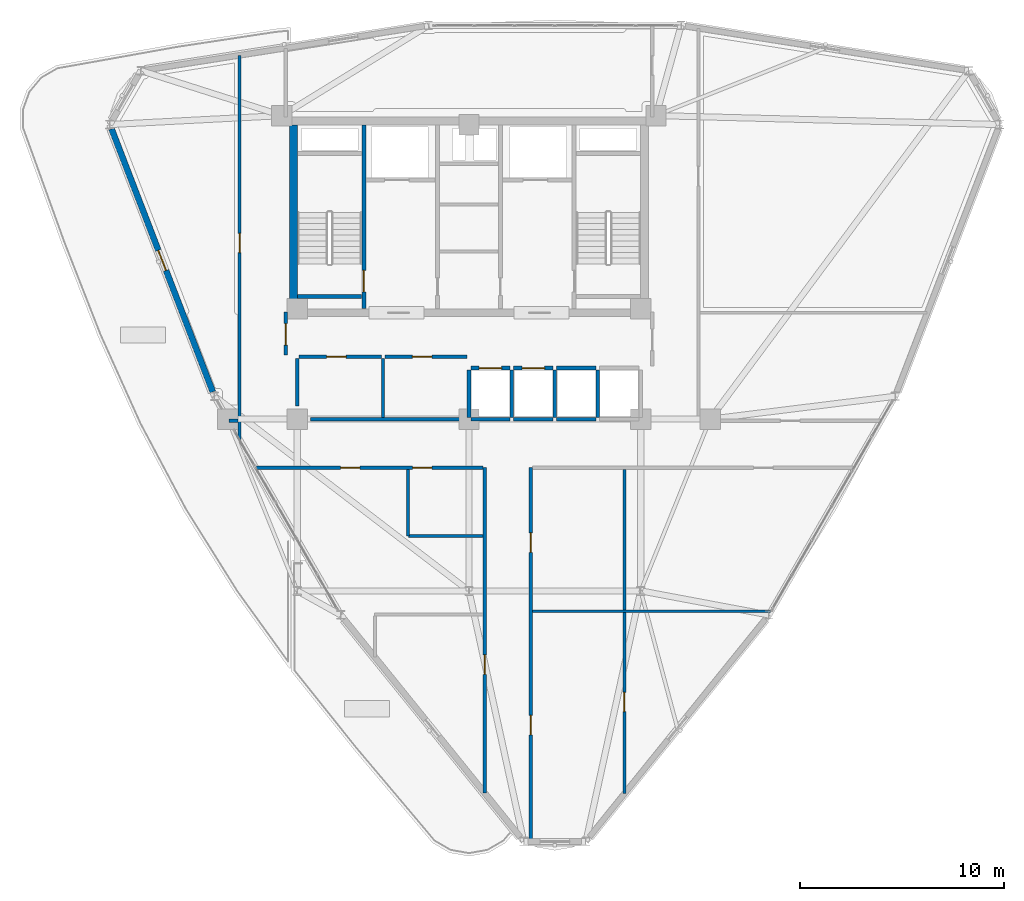
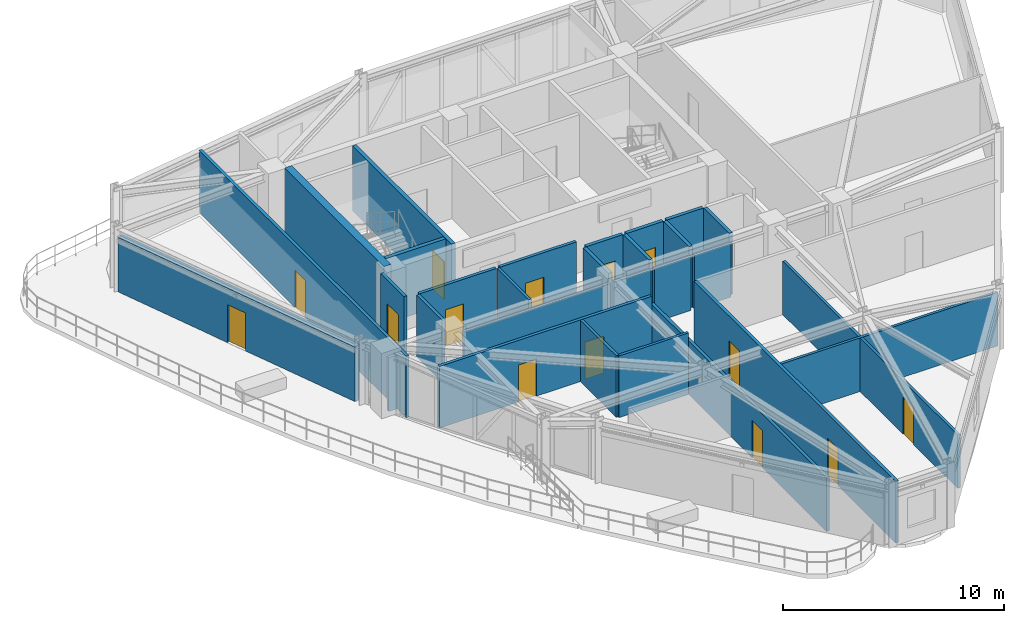
# One storey, part 14 of 19: 29 walls, 14 doors, 14 openings.
"""IFC4 building model written with IfcOpenShell, lengths in metres."""

from ifc_helpers import new_model, si_unit, derived_unit, direction, frame, frame_2d, origin, place, context, subcontext, project, spatial, rectangle, extrude, material, layer, layer_set, type_object, element, fill, save


model = new_model("IFC4")

# Units and contexts
model_context = context("Model", 3, precision=1e-05, world=origin(), true_north=direction((0.0, 1.0)))
body_context = subcontext(model_context, "Body", "Model", "MODEL_VIEW")
ifc_project = project(units=[si_unit("LENGTHUNIT", "METRE"), si_unit("AREAUNIT", "SQUARE_METRE"), si_unit("VOLUMEUNIT", "CUBIC_METRE"), si_unit("PLANEANGLEUNIT", "RADIAN"), si_unit("MASSUNIT", "GRAM", prefix="KILO"), derived_unit("THERMALTRANSMITTANCEUNIT", [(si_unit("POWERUNIT", "WATT"), 1), (si_unit("LENGTHUNIT", "METRE"), -2), (si_unit("THERMODYNAMICTEMPERATUREUNIT", "KELVIN"), -1)])], contexts=[model_context])

# Site, building, storey
site_placement = place(None, origin())
site = spatial("IfcSite", under=ifc_project, at=site_placement, CompositionType="ELEMENT")
building_placement = place(site_placement, origin())
building = spatial("IfcBuilding", under=site, at=building_placement, Name="Korsvarv Bourse and Concert Hall", CompositionType="ELEMENT")
storey_placement = place(building_placement, frame((0.0, 0.0, 205.800048828125)))
storey = spatial("IfcBuildingStorey", under=building, at=storey_placement, Name="L53", CompositionType="ELEMENT", Elevation=205.800048828125)

# Wall
ifc_material_1 = material(Name="Concrete C50/60", Category="concrete")
ifc_layer_1 = layer(ifc_material_1, 0.3798828125)
ifc_layer_set_1 = layer_set([ifc_layer_1], Name="Concrete C50/60")
wall_type_1 = type_object("IfcWallType", Name="WL-CORE-380", PredefinedType="SHEAR", material=ifc_layer_set_1)
wall_1_placement = place(storey_placement, frame((27.409912109375, 37.800048828125, 0.0), z_axis=(0.0, 0.0, 1.0), x_axis=(0.0, 1.0, 0.0)))
element("IfcWall", 1, at=wall_1_placement, inside=storey, type_object=wall_type_1, Name="L53 West Core Shear Wall", PredefinedType="SHEAR", context=body_context, shape_type="SweptSolid", body=[
    extrude(rectangle(XDim=9.0, YDim=0.3798828125, at=frame_2d((4.5, 0.0))), origin(), (0.0, 0.0, 1.0), 3.599853515625),
])

# Wall, opening, door
wall_2_placement = place(storey_placement, frame((30.860107421875, 37.81005859375, 0.0), z_axis=(0.0, 0.0, 1.0), x_axis=(0.0, 1.0, 0.0)))
wall_2 = element("IfcWall", 2, at=wall_2_placement, inside=storey, type_object=wall_type_1, Name="L53 stair shaft structural wall W-L53-ST1-E", PredefinedType="SHEAR", context=body_context, shape_type="SweptSolid", body=[
    extrude(rectangle(XDim=8.97998046875, YDim=0.199951171875, at=frame_2d((4.489990234375, 0.0))), origin(), (0.0, 0.0, 1.0), 3.599853515625),
])
opening_1_placement = place(wall_2_placement, frame((0.820068359375, 0.0, 0.0)))
opening_1 = element("IfcOpeningElement", 3, at=opening_1_placement, cuts=wall_2, Name="Opening D-01", PredefinedType="OPENING", context=body_context, shape_type="SweptSolid", body=[
    extrude(rectangle(XDim=1.050048828125, YDim=2.10009765625, at=frame_2d((0.52490234375, 1.050048828125))), frame((0.0, 0.10986328125, 0.0), z_axis=(0.0, -1.0, 0.0), x_axis=(1.0, 0.0, 0.0)), (0.0, 0.0, 1.0), 0.219970703125),
])
ifc_material_2 = material(Name="Steel S355 fire door", Category="steel")
door_type_1 = type_object("IfcDoorType", Name="DR-FD60", OperationType="NOTDEFINED", PredefinedType="DOOR", material=ifc_material_2)
door_1_placement = place(opening_1_placement, origin())
door_1 = element("IfcDoor", 4, at=door_1_placement, inside=storey, type_object=door_type_1, Name="L53 interior door DR-L53-ST1", OperationType="SINGLE_SWING_RIGHT", OverallHeight=2.10009765625, OverallWidth=1.050048828125, PredefinedType="DOOR", context=body_context, shape_type="SweptSolid", body=[
    extrude(rectangle(XDim=1.050048828125, YDim=2.10009765625, at=frame_2d((0.52490234375, 1.050048828125))), frame((0.0, 0.02490234375, 0.0), z_axis=(0.0, -1.0, 0.0), x_axis=(1.0, 0.0, 0.0)), (0.0, 0.0, 1.0), 0.050048828125),
])
fill(opening_1, door_1)

# Wall
wall_3_placement = place(storey_placement, frame((27.610107421875, 38.39990234375, 0.0), z_axis=(0.0, 0.0, 1.0), x_axis=(1.0, 0.0, 0.0)))
element("IfcWall", 5, at=wall_3_placement, inside=storey, type_object=wall_type_1, Name="L53 stair shaft structural wall W-L53-ST1-S", PredefinedType="SHEAR", context=body_context, shape_type="SweptSolid", body=[
    extrude(rectangle(XDim=3.139892578125, YDim=0.199951171875, at=frame_2d((1.56982421875, 0.0))), origin(), (0.0, 0.0, 1.0), 3.599853515625),
])

# Wall, opening, door
ifc_material_3 = material(Name="Precast concrete C45/55 with terracotta rainscreen", Category="concrete")
ifc_layer_2 = layer(ifc_material_3, 0.300048828125)
ifc_layer_set_2 = layer_set([ifc_layer_2], Name="Precast concrete C45/55 with terracotta rainscreen")
wall_type_2 = type_object("IfcWallType", Name="WL-EXT-TC1", PredefinedType="SOLIDWALL", material=ifc_layer_set_2)
wall_4_placement = place(storey_placement, frame((18.511962890625, 46.598388671875, 0.0), z_axis=(0.0, 0.0, 1.0), x_axis=(0.359321962573, -0.933213655715, 0.0)))
wall_4 = element("IfcWall", 6, at=wall_4_placement, inside=storey, type_object=wall_type_2, Name="L53 terracotta exterior wall EW-L53-B06", PredefinedType="SOLIDWALL", context=body_context, shape_type="SweptSolid", body=[
    extrude(rectangle(XDim=13.7880859375, YDim=0.300048828125, at=frame_2d((6.89404296875, 0.0))), origin(), (0.0, 0.0, 1.0), 3.02001953125),
])
opening_2_placement = place(wall_4_placement, frame((6.368896484375, 0.0, 0.0)))
opening_2 = element("IfcOpeningElement", 7, at=opening_2_placement, cuts=wall_4, Name="Opening ED-02", PredefinedType="OPENING", context=body_context, shape_type="SweptSolid", body=[
    extrude(rectangle(XDim=1.050048828125, YDim=2.10009765625, at=frame_2d((0.52490234375, 1.050048828125))), frame((0.0, 0.16015625, 0.0), z_axis=(0.0, -1.0, 0.0), x_axis=(1.0, 0.0, 0.0)), (0.0, 0.0, 1.0), 0.320068359375),
])
ifc_material_4 = material(Name="Thermally broken anodised aluminium and laminated safety glass", Category="aluminium")
door_type_2 = type_object("IfcDoorType", Name="DR-EXT-TERR", OperationType="NOTDEFINED", PredefinedType="DOOR", material=ifc_material_4)
door_2_placement = place(opening_2_placement, frame((1.050048828125, 0.0, 0.0), z_axis=(0.0, 0.0, 1.0), x_axis=(-1.0, 0.0, 0.0)))
door_2 = element("IfcDoor", 8, at=door_2_placement, inside=storey, type_object=door_type_2, Name="L53 Sky Garden Terrace Access Door", OperationType="SINGLE_SWING_RIGHT", OverallHeight=2.10009765625, OverallWidth=1.050048828125, PredefinedType="DOOR", context=body_context, shape_type="SweptSolid", body=[
    extrude(rectangle(XDim=1.050048828125, YDim=2.10009765625, at=frame_2d((0.52490234375, 1.050048828125))), frame((0.0, 0.02490234375, 0.0), z_axis=(0.0, -1.0, 0.0), x_axis=(1.0, 0.0, 0.0)), (0.0, 0.0, 1.0), 0.050048828125),
])
fill(opening_2, door_2)

# Walls
ifc_material_5 = material(Name="Double-stud fire-rated acoustic partition", Category="gypsum")
ifc_layer_3 = layer(ifc_material_5, 0.159912109375)
ifc_layer_set_3 = layer_set([ifc_layer_3], Name="Double-stud fire-rated acoustic partition")
wall_type_3 = type_object("IfcWallType", Name="WL-INT-EI60", PredefinedType="PARTITIONING", material=ifc_layer_set_3)
wall_5_placement = place(storey_placement, frame((28.25, 32.39990234375, 0.0), z_axis=(0.0, 0.0, 1.0), x_axis=(1.0, 0.0, 0.0)))
element("IfcWall", 9, at=wall_5_placement, inside=storey, type_object=wall_type_3, Name="L53 interior partition wall W-L53-FRD-S", PredefinedType="PARTITIONING", context=body_context, shape_type="SweptSolid", body=[
    extrude(rectangle(XDim=7.64990234375, YDim=0.159912109375, at=frame_2d((3.824951171875, 0.0))), origin(), (0.0, 0.0, 1.0), 2.9599609375),
])
wall_6_placement = place(storey_placement, frame((27.60009765625, 33.050048828125, 0.0), z_axis=(0.0, 0.0, 1.0), x_axis=(0.0, 1.0, 0.0)))
element("IfcWall", 10, at=wall_6_placement, inside=storey, type_object=wall_type_3, Name="L53 interior partition wall W-L53-FRD-W", PredefinedType="PARTITIONING", context=body_context, shape_type="SweptSolid", body=[
    extrude(rectangle(XDim=2.31005859375, YDim=0.159912109375, at=frame_2d((1.155029296875, 0.0))), origin(), (0.0, 0.0, 1.0), 3.409912109375),
])

# Wall, opening, door
wall_7_placement = place(storey_placement, frame((27.68994140625, 35.449951171875, 0.0), z_axis=(0.0, 0.0, 1.0), x_axis=(1.0, 0.0, 0.0)))
wall_7 = element("IfcWall", 11, at=wall_7_placement, inside=storey, type_object=wall_type_3, Name="L53 interior partition wall W-L53-FRD-N1", PredefinedType="PARTITIONING", context=body_context, shape_type="SweptSolid", body=[
    extrude(rectangle(XDim=4.030029296875, YDim=0.159912109375, at=frame_2d((2.01513671875, 0.0))), origin(), (0.0, 0.0, 1.0), 3.409912109375),
])
opening_3_placement = place(wall_7_placement, frame((1.35009765625, 0.0, 0.0)))
opening_3 = element("IfcOpeningElement", 12, at=opening_3_placement, cuts=wall_7, Name="Opening D-03", PredefinedType="OPENING", context=body_context, shape_type="SweptSolid", body=[
    extrude(rectangle(XDim=0.949951171875, YDim=2.050048828125, at=frame_2d((0.47509765625, 1.02490234375))), frame((0.0, 0.08984375, 0.0), z_axis=(0.0, -1.0, 0.0), x_axis=(1.0, 0.0, 0.0)), (0.0, 0.0, 1.0), 0.179931640625),
])
ifc_material_6 = material(Name="Nordic oak acoustic office door", Category="wood")
door_type_3 = type_object("IfcDoorType", Name="DR-INT-1", OperationType="NOTDEFINED", PredefinedType="DOOR", material=ifc_material_6)
door_3_placement = place(opening_3_placement, origin())
door_3 = element("IfcDoor", 13, at=door_3_placement, inside=storey, type_object=door_type_3, Name="L53 interior door DR-L53-FRDN1", OperationType="SINGLE_SWING_RIGHT", OverallHeight=2.050048828125, OverallWidth=0.949951171875, PredefinedType="DOOR", context=body_context, shape_type="SweptSolid", body=[
    extrude(rectangle(XDim=0.949951171875, YDim=2.050048828125, at=frame_2d((0.47509765625, 1.02490234375))), frame((0.0, 0.02490234375, 0.0), z_axis=(0.0, -1.0, 0.0), x_axis=(1.0, 0.0, 0.0)), (0.0, 0.0, 1.0), 0.050048828125),
])
fill(opening_3, door_3)

wall_8_placement = place(storey_placement, frame((31.8798828125, 35.449951171875, 0.0), z_axis=(0.0, 0.0, 1.0), x_axis=(1.0, 0.0, 0.0)))
wall_8 = element("IfcWall", 14, at=wall_8_placement, inside=storey, type_object=wall_type_3, Name="L53 interior partition wall W-L53-FRD-N2", PredefinedType="PARTITIONING", context=body_context, shape_type="SweptSolid", body=[
    extrude(rectangle(XDim=4.02001953125, YDim=0.159912109375, at=frame_2d((2.010009765625, 0.0))), origin(), (0.0, 0.0, 1.0), 3.409912109375),
])
opening_4_placement = place(wall_8_placement, frame((1.35009765625, 0.0, 0.0)))
opening_4 = element("IfcOpeningElement", 15, at=opening_4_placement, cuts=wall_8, Name="Opening D-03", PredefinedType="OPENING", context=body_context, shape_type="SweptSolid", body=[
    extrude(rectangle(XDim=0.949951171875, YDim=2.050048828125, at=frame_2d((0.47509765625, 1.02490234375))), frame((0.0, 0.08984375, 0.0), z_axis=(0.0, -1.0, 0.0), x_axis=(1.0, 0.0, 0.0)), (0.0, 0.0, 1.0), 0.179931640625),
])
door_4_placement = place(opening_4_placement, origin())
door_4 = element("IfcDoor", 16, at=door_4_placement, inside=storey, type_object=door_type_3, Name="L53 interior door DR-L53-FRDN2", OperationType="SINGLE_SWING_LEFT", OverallHeight=2.050048828125, OverallWidth=0.949951171875, PredefinedType="DOOR", context=body_context, shape_type="SweptSolid", body=[
    extrude(rectangle(XDim=0.949951171875, YDim=2.050048828125, at=frame_2d((0.47509765625, 1.02490234375))), frame((0.0, 0.02490234375, 0.0), z_axis=(0.0, -1.0, 0.0), x_axis=(1.0, 0.0, 0.0)), (0.0, 0.0, 1.0), 0.050048828125),
])
fill(opening_4, door_4)

wall_9_placement = place(storey_placement, frame((27.0400390625, 35.5400390625, 0.0), z_axis=(0.0, 0.0, 1.0), x_axis=(0.0, 1.0, 0.0)))
wall_9 = element("IfcWall", 17, at=wall_9_placement, inside=storey, type_object=wall_type_3, Name="L53 interior partition wall W-L53-LOB-WL", PredefinedType="PARTITIONING", context=body_context, shape_type="SweptSolid", body=[
    extrude(rectangle(XDim=2.10986328125, YDim=0.159912109375, at=frame_2d((1.054931640625, 0.0))), origin(), (0.0, 0.0, 1.0), 3.409912109375),
])
opening_5_placement = place(wall_9_placement, frame((0.47998046875, 0.0, 0.0)))
opening_5 = element("IfcOpeningElement", 18, at=opening_5_placement, cuts=wall_9, Name="Opening D-01", PredefinedType="OPENING", context=body_context, shape_type="SweptSolid", body=[
    extrude(rectangle(XDim=1.050048828125, YDim=2.10009765625, at=frame_2d((0.52490234375, 1.050048828125))), frame((0.0, 0.08984375, 0.0), z_axis=(0.0, -1.0, 0.0), x_axis=(1.0, 0.0, 0.0)), (0.0, 0.0, 1.0), 0.179931640625),
])
door_5_placement = place(opening_5_placement, frame((1.050048828125, 0.0, 0.0), z_axis=(0.0, 0.0, 1.0), x_axis=(-1.0, 0.0, 0.0)))
door_5 = element("IfcDoor", 19, at=door_5_placement, inside=storey, type_object=door_type_1, Name="L53 interior door DR-L53-LOBW", OperationType="SINGLE_SWING_RIGHT", OverallHeight=2.10009765625, OverallWidth=1.050048828125, PredefinedType="DOOR", context=body_context, shape_type="SweptSolid", body=[
    extrude(rectangle(XDim=1.050048828125, YDim=2.10009765625, at=frame_2d((0.52490234375, 1.050048828125))), frame((0.0, 0.02490234375, 0.0), z_axis=(0.0, -1.0, 0.0), x_axis=(1.0, 0.0, 0.0)), (0.0, 0.0, 1.0), 0.050048828125),
])
fill(opening_5, door_5)

wall_10_placement = place(storey_placement, frame((24.77490234375, 31.413330078125, 0.0), z_axis=(0.0, 0.0, 1.0), x_axis=(0.0, 1.0, 0.0)))
wall_10 = element("IfcWall", 20, at=wall_10_placement, inside=storey, type_object=wall_type_3, Name="L53 interior partition wall W-L53-TCOR-02", PredefinedType="PARTITIONING", context=body_context, shape_type="SweptSolid", body=[
    extrude(rectangle(XDim=18.773193359375, YDim=0.159912109375, at=frame_2d((9.38671875, 0.0))), origin(), (0.0, 0.0, 1.0), 3.409912109375),
])
opening_6_placement = place(wall_10_placement, frame((9.12744140625, 0.0, 0.0)))
opening_6 = element("IfcOpeningElement", 21, at=opening_6_placement, cuts=wall_10, Name="Opening D-02", PredefinedType="OPENING", context=body_context, shape_type="SweptSolid", body=[
    extrude(rectangle(XDim=0.949951171875, YDim=2.050048828125, at=frame_2d((0.47509765625, 1.02490234375))), frame((0.0, 0.08984375, 0.0), z_axis=(0.0, -1.0, 0.0), x_axis=(1.0, 0.0, 0.0)), (0.0, 0.0, 1.0), 0.179931640625),
])
ifc_material_7 = material(Name="Timber and steel acoustic fire door", Category="wood")
door_type_4 = type_object("IfcDoorType", Name="DR-FD30", OperationType="NOTDEFINED", PredefinedType="DOOR", material=ifc_material_7)
door_6_placement = place(opening_6_placement, origin())
door_6 = element("IfcDoor", 22, at=door_6_placement, inside=storey, type_object=door_type_4, Name="L53 interior door DR-L53-TCOR-PN710", OperationType="SINGLE_SWING_LEFT", OverallHeight=2.050048828125, OverallWidth=0.949951171875, PredefinedType="DOOR", context=body_context, shape_type="SweptSolid", body=[
    extrude(rectangle(XDim=0.949951171875, YDim=2.050048828125, at=frame_2d((0.47509765625, 1.02490234375))), frame((0.0, 0.02490234375, 0.0), z_axis=(0.0, -1.0, 0.0), x_axis=(1.0, 0.0, 0.0)), (0.0, 0.0, 1.0), 0.050048828125),
])
fill(opening_6, door_6)

# Wall, openings, doors
wall_11_placement = place(storey_placement, frame((39.02490234375, 11.7607421875, 0.0), z_axis=(0.0, 0.0, 1.0), x_axis=(0.0, 1.0, 0.0)))
wall_11 = element("IfcWall", 23, at=wall_11_placement, inside=storey, type_object=wall_type_3, Name="L53 interior partition wall W-L53-TCOR-03", PredefinedType="PARTITIONING", context=body_context, shape_type="SweptSolid", body=[
    extrude(rectangle(XDim=18.269287109375, YDim=0.159912109375, at=frame_2d((9.134765625, 0.0))), origin(), (0.0, 0.0, 1.0), 3.409912109375),
])
opening_7_placement = place(wall_11_placement, frame((5.19970703125, 0.0, 0.0)))
opening_7 = element("IfcOpeningElement", 24, at=opening_7_placement, cuts=wall_11, Name="Opening D-02", PredefinedType="OPENING", context=body_context, shape_type="SweptSolid", body=[
    extrude(rectangle(XDim=0.949951171875, YDim=2.050048828125, at=frame_2d((0.47509765625, 1.02490234375))), frame((0.0, 0.08984375, 0.0), z_axis=(0.0, -1.0, 0.0), x_axis=(1.0, 0.0, 0.0)), (0.0, 0.0, 1.0), 0.179931640625),
])
opening_8_placement = place(wall_11_placement, frame((14.121337890625, 0.0, 0.0)))
opening_8 = element("IfcOpeningElement", 25, at=opening_8_placement, cuts=wall_11, Name="Opening D-02", PredefinedType="OPENING", context=body_context, shape_type="SweptSolid", body=[
    extrude(rectangle(XDim=0.949951171875, YDim=2.050048828125, at=frame_2d((0.47509765625, 1.02490234375))), frame((0.0, 0.08984375, 0.0), z_axis=(0.0, -1.0, 0.0), x_axis=(1.0, 0.0, 0.0)), (0.0, 0.0, 1.0), 0.179931640625),
])
door_7_placement = place(opening_7_placement, origin())
door_7 = element("IfcDoor", 26, at=door_7_placement, inside=storey, type_object=door_type_4, Name="L53 interior door DR-L53-TCOR-PN53", OperationType="SINGLE_SWING_RIGHT", OverallHeight=2.050048828125, OverallWidth=0.949951171875, PredefinedType="DOOR", context=body_context, shape_type="SweptSolid", body=[
    extrude(rectangle(XDim=0.949951171875, YDim=2.050048828125, at=frame_2d((0.47509765625, 1.02490234375))), frame((0.0, 0.02490234375, 0.0), z_axis=(0.0, -1.0, 0.0), x_axis=(1.0, 0.0, 0.0)), (0.0, 0.0, 1.0), 0.050048828125),
])
fill(opening_7, door_7)
door_8_placement = place(opening_8_placement, origin())
door_8 = element("IfcDoor", 27, at=door_8_placement, inside=storey, type_object=door_type_4, Name="L53 interior door DR-L53-TCOR-PN24", OperationType="SINGLE_SWING_LEFT", OverallHeight=2.050048828125, OverallWidth=0.949951171875, PredefinedType="DOOR", context=body_context, shape_type="SweptSolid", body=[
    extrude(rectangle(XDim=0.949951171875, YDim=2.050048828125, at=frame_2d((0.47509765625, 1.02490234375))), frame((0.0, 0.02490234375, 0.0), z_axis=(0.0, -1.0, 0.0), x_axis=(1.0, 0.0, 0.0)), (0.0, 0.0, 1.0), 0.050048828125),
])
fill(opening_8, door_8)

# Wall, opening, door
wall_12_placement = place(storey_placement, frame((36.77490234375, 14.115478515625, 0.0), z_axis=(0.0, 0.0, 1.0), x_axis=(0.0, 1.0, 0.0)))
wall_12 = element("IfcWall", 28, at=wall_12_placement, inside=storey, type_object=wall_type_3, Name="L53 interior partition wall W-L53-TCOR-04", PredefinedType="PARTITIONING", context=body_context, shape_type="SweptSolid", body=[
    extrude(rectangle(XDim=15.91455078125, YDim=0.159912109375, at=frame_2d((7.957275390625, 0.0))), origin(), (0.0, 0.0, 1.0), 2.9599609375),
])
opening_9_placement = place(wall_12_placement, frame((5.803466796875, 0.0, 0.0)))
opening_9 = element("IfcOpeningElement", 29, at=opening_9_placement, cuts=wall_12, Name="Opening D-02", PredefinedType="OPENING", context=body_context, shape_type="SweptSolid", body=[
    extrude(rectangle(XDim=0.949951171875, YDim=2.050048828125, at=frame_2d((0.47509765625, 1.02490234375))), frame((0.0, 0.08984375, 0.0), z_axis=(0.0, -1.0, 0.0), x_axis=(1.0, 0.0, 0.0)), (0.0, 0.0, 1.0), 0.179931640625),
])
door_9_placement = place(opening_9_placement, origin())
door_9 = element("IfcDoor", 30, at=door_9_placement, inside=storey, type_object=door_type_4, Name="L53 interior door DR-L53-TCOR-PN49", OperationType="SINGLE_SWING_RIGHT", OverallHeight=2.050048828125, OverallWidth=0.949951171875, PredefinedType="DOOR", context=body_context, shape_type="SweptSolid", body=[
    extrude(rectangle(XDim=0.949951171875, YDim=2.050048828125, at=frame_2d((0.47509765625, 1.02490234375))), frame((0.0, 0.02490234375, 0.0), z_axis=(0.0, -1.0, 0.0), x_axis=(1.0, 0.0, 0.0)), (0.0, 0.0, 1.0), 0.050048828125),
])
fill(opening_9, door_9)

# Wall, openings, doors
wall_13_placement = place(storey_placement, frame((25.585205078125, 30.02490234375, 0.0), z_axis=(0.0, 0.0, 1.0), x_axis=(1.0, 0.0, 0.0)))
wall_13 = element("IfcWall", 31, at=wall_13_placement, inside=storey, type_object=wall_type_3, Name="L53 interior partition wall W-L53-TCOR-06", PredefinedType="PARTITIONING", context=body_context, shape_type="SweptSolid", body=[
    extrude(rectangle(XDim=11.10791015625, YDim=0.159912109375, at=frame_2d((5.553955078125, 0.0))), origin(), (0.0, 0.0, 1.0), 3.409912109375),
])
opening_10_placement = place(wall_13_placement, frame((7.65478515625, 0.0, 0.0)))
opening_10 = element("IfcOpeningElement", 32, at=opening_10_placement, cuts=wall_13, Name="Opening D-02", PredefinedType="OPENING", context=body_context, shape_type="SweptSolid", body=[
    extrude(rectangle(XDim=0.949951171875, YDim=2.050048828125, at=frame_2d((0.47509765625, 1.02490234375))), frame((0.0, 0.08984375, 0.0), z_axis=(0.0, -1.0, 0.0), x_axis=(1.0, 0.0, 0.0)), (0.0, 0.0, 1.0), 0.179931640625),
])
opening_11_placement = place(wall_13_placement, frame((4.13232421875, 0.0, 0.0)))
opening_11 = element("IfcOpeningElement", 33, at=opening_11_placement, cuts=wall_13, Name="Opening D-02", PredefinedType="OPENING", context=body_context, shape_type="SweptSolid", body=[
    extrude(rectangle(XDim=0.949951171875, YDim=2.050048828125, at=frame_2d((0.47509765625, 1.02490234375))), frame((0.0, 0.08984375, 0.0), z_axis=(0.0, -1.0, 0.0), x_axis=(1.0, 0.0, 0.0)), (0.0, 0.0, 1.0), 0.179931640625),
])
door_10_placement = place(opening_10_placement, origin())
door_10 = element("IfcDoor", 34, at=door_10_placement, inside=storey, type_object=door_type_4, Name="L53 interior door DR-L53-TCOR-RWC", OperationType="SINGLE_SWING_RIGHT", OverallHeight=2.050048828125, OverallWidth=0.949951171875, PredefinedType="DOOR", context=body_context, shape_type="SweptSolid", body=[
    extrude(rectangle(XDim=0.949951171875, YDim=2.050048828125, at=frame_2d((0.47509765625, 1.02490234375))), frame((0.0, 0.02490234375, 0.0), z_axis=(0.0, -1.0, 0.0), x_axis=(1.0, 0.0, 0.0)), (0.0, 0.0, 1.0), 0.050048828125),
])
fill(opening_10, door_10)
door_11_placement = place(opening_11_placement, origin())
door_11 = element("IfcDoor", 35, at=door_11_placement, inside=storey, type_object=door_type_4, Name="L53 interior door DR-L53-TCOR-PN18", OperationType="SINGLE_SWING_LEFT", OverallHeight=2.050048828125, OverallWidth=0.949951171875, PredefinedType="DOOR", context=body_context, shape_type="SweptSolid", body=[
    extrude(rectangle(XDim=0.949951171875, YDim=2.050048828125, at=frame_2d((0.47509765625, 1.02490234375))), frame((0.0, 0.02490234375, 0.0), z_axis=(0.0, -1.0, 0.0), x_axis=(1.0, 0.0, 0.0)), (0.0, 0.0, 1.0), 0.050048828125),
])
fill(opening_11, door_11)

# Wall
wall_14_placement = place(storey_placement, frame((24.262939453125, 32.31494140625, 0.0), z_axis=(0.0, 0.0, 1.0), x_axis=(1.0, 0.0, 0.0)))
element("IfcWall", 36, at=wall_14_placement, inside=storey, type_object=wall_type_3, Name="L53 interior partition wall W-L53-TCOR-10", PredefinedType="PARTITIONING", context=body_context, shape_type="SweptSolid", body=[
    extrude(rectangle(XDim=0.43017578125, YDim=0.159912109375, at=frame_2d((0.215087890625, 0.0))), origin(), (0.0, 0.0, 1.0), 2.9599609375),
])

# Wall, opening, door
ifc_material_8 = material(Name="Gypsum-clad autoclaved concrete shaft wall C30/37", Category="concrete")
ifc_layer_4 = layer(ifc_material_8, 0.179931640625)
ifc_layer_set_4 = layer_set([ifc_layer_4], Name="Gypsum-clad autoclaved concrete shaft wall C30/37")
wall_type_4 = type_object("IfcWallType", Name="WL-INT-EI90", PredefinedType="PARTITIONING", material=ifc_layer_set_4)
wall_15_placement = place(storey_placement, frame((36.090087890625, 34.89990234375, 0.0), z_axis=(0.0, 0.0, 1.0), x_axis=(1.0, 0.0, 0.0)))
wall_15 = element("IfcWall", 37, at=wall_15_placement, inside=storey, type_object=wall_type_4, Name="L53 interior partition wall W-L53-SHFN-PH1", PredefinedType="PARTITIONING", context=body_context, shape_type="SweptSolid", body=[
    extrude(rectangle(XDim=1.919921875, YDim=0.179931640625, at=frame_2d((0.9599609375, 0.0))), origin(), (0.0, 0.0, 1.0), 3.409912109375),
])
opening_12_placement = place(wall_15_placement, frame((0.409912109375, 0.0, 0.0)))
opening_12 = element("IfcOpeningElement", 38, at=opening_12_placement, cuts=wall_15, Name="Opening LD-2", PredefinedType="OPENING", context=body_context, shape_type="SweptSolid", body=[
    extrude(rectangle(XDim=1.10009765625, YDim=2.10009765625, at=frame_2d((0.550048828125, 1.050048828125))), frame((0.0, 0.10009765625, 0.0), z_axis=(0.0, -1.0, 0.0), x_axis=(1.0, 0.0, 0.0)), (0.0, 0.0, 1.0), 0.199951171875),
])
ifc_material_9 = material(Name="Brushed stainless Steel S355 lift landing door", Category="steel")
door_type_5 = type_object("IfcDoorType", Name="DR-LIFT-P", OperationType="DOUBLE_DOOR_SLIDING", PredefinedType="DOOR", material=ifc_material_9)
door_12_placement = place(opening_12_placement, origin())
door_12 = element("IfcDoor", 39, at=door_12_placement, inside=storey, type_object=door_type_5, Name="L53 lift sliding landing door LD-L53-PH1", OperationType="DOUBLE_DOOR_SLIDING", OverallHeight=2.10009765625, OverallWidth=1.10009765625, PredefinedType="DOOR", context=body_context, shape_type="SweptSolid", body=[
    extrude(rectangle(XDim=1.10009765625, YDim=2.10009765625, at=frame_2d((0.550048828125, 1.050048828125))), frame((0.0, 0.02490234375, 0.0), z_axis=(0.0, -1.0, 0.0), x_axis=(1.0, 0.0, 0.0)), (0.0, 0.0, 1.0), 0.050048828125),
])
fill(opening_12, door_12)

# Walls
wall_16_placement = place(storey_placement, frame((36.090087890625, 32.39990234375, 0.0), z_axis=(0.0, 0.0, 1.0), x_axis=(1.0, 0.0, 0.0)))
element("IfcWall", 40, at=wall_16_placement, inside=storey, type_object=wall_type_4, Name="L53 interior partition wall W-L53-SHFS-PH1", PredefinedType="PARTITIONING", context=body_context, shape_type="SweptSolid", body=[
    extrude(rectangle(XDim=1.919921875, YDim=0.179931640625, at=frame_2d((0.9599609375, 0.0))), origin(), (0.0, 0.0, 1.0), 2.9599609375),
])
wall_17_placement = place(storey_placement, frame((36.0, 32.489990234375, 0.0), z_axis=(0.0, 0.0, 1.0), x_axis=(0.0, 1.0, 0.0)))
element("IfcWall", 41, at=wall_17_placement, inside=storey, type_object=wall_type_4, Name="L53 interior partition wall W-L53-SHFW-PH1", PredefinedType="PARTITIONING", context=body_context, shape_type="SweptSolid", body=[
    extrude(rectangle(XDim=2.320068359375, YDim=0.179931640625, at=frame_2d((1.16015625, 0.0))), origin(), (0.0, 0.0, 1.0), 3.409912109375),
])

# Wall, opening, door
wall_18_placement = place(storey_placement, frame((38.18994140625, 34.89990234375, 0.0), z_axis=(0.0, 0.0, 1.0), x_axis=(1.0, 0.0, 0.0)))
wall_18 = element("IfcWall", 42, at=wall_18_placement, inside=storey, type_object=wall_type_4, Name="L53 interior partition wall W-L53-SHFN-PH2", PredefinedType="PARTITIONING", context=body_context, shape_type="SweptSolid", body=[
    extrude(rectangle(XDim=1.920166015625, YDim=0.179931640625, at=frame_2d((0.9599609375, 0.0))), origin(), (0.0, 0.0, 1.0), 3.409912109375),
])
opening_13_placement = place(wall_18_placement, frame((0.409912109375, 0.0, 0.0)))
opening_13 = element("IfcOpeningElement", 43, at=opening_13_placement, cuts=wall_18, Name="Opening LD-2", PredefinedType="OPENING", context=body_context, shape_type="SweptSolid", body=[
    extrude(rectangle(XDim=1.10009765625, YDim=2.10009765625, at=frame_2d((0.550048828125, 1.050048828125))), frame((0.0, 0.10009765625, 0.0), z_axis=(0.0, -1.0, 0.0), x_axis=(1.0, 0.0, 0.0)), (0.0, 0.0, 1.0), 0.199951171875),
])
door_13_placement = place(opening_13_placement, origin())
door_13 = element("IfcDoor", 44, at=door_13_placement, inside=storey, type_object=door_type_5, Name="L53 lift sliding landing door LD-L53-PH2", OperationType="DOUBLE_DOOR_SLIDING", OverallHeight=2.10009765625, OverallWidth=1.10009765625, PredefinedType="DOOR", context=body_context, shape_type="SweptSolid", body=[
    extrude(rectangle(XDim=1.10009765625, YDim=2.10009765625, at=frame_2d((0.550048828125, 1.050048828125))), frame((0.0, 0.02490234375, 0.0), z_axis=(0.0, -1.0, 0.0), x_axis=(1.0, 0.0, 0.0)), (0.0, 0.0, 1.0), 0.050048828125),
])
fill(opening_13, door_13)

# Walls
wall_19_placement = place(storey_placement, frame((38.18994140625, 32.39990234375, 0.0), z_axis=(0.0, 0.0, 1.0), x_axis=(1.0, 0.0, 0.0)))
element("IfcWall", 45, at=wall_19_placement, inside=storey, type_object=wall_type_4, Name="L53 interior partition wall W-L53-SHFS-PH2", PredefinedType="PARTITIONING", context=body_context, shape_type="SweptSolid", body=[
    extrude(rectangle(XDim=1.920166015625, YDim=0.179931640625, at=frame_2d((0.9599609375, 0.0))), origin(), (0.0, 0.0, 1.0), 2.9599609375),
])
wall_20_placement = place(storey_placement, frame((38.10009765625, 32.489990234375, 0.0), z_axis=(0.0, 0.0, 1.0), x_axis=(0.0, 1.0, 0.0)))
element("IfcWall", 46, at=wall_20_placement, inside=storey, type_object=wall_type_4, Name="L53 interior partition wall W-L53-SHFW-PH2", PredefinedType="PARTITIONING", context=body_context, shape_type="SweptSolid", body=[
    extrude(rectangle(XDim=2.320068359375, YDim=0.179931640625, at=frame_2d((1.16015625, 0.0))), origin(), (0.0, 0.0, 1.0), 3.409912109375),
])
wall_21_placement = place(storey_placement, frame((40.2900390625, 34.89990234375, 0.0), z_axis=(0.0, 0.0, 1.0), x_axis=(1.0, 0.0, 0.0)))
element("IfcWall", 47, at=wall_21_placement, inside=storey, type_object=wall_type_4, Name="L53 interior partition wall W-L53-SHFN-PO1", PredefinedType="PARTITIONING", context=body_context, shape_type="SweptSolid", body=[
    extrude(rectangle(XDim=1.919921875, YDim=0.179931640625, at=frame_2d((0.9599609375, 0.0))), origin(), (0.0, 0.0, 1.0), 3.409912109375),
])
wall_22_placement = place(storey_placement, frame((40.2900390625, 32.39990234375, 0.0), z_axis=(0.0, 0.0, 1.0), x_axis=(1.0, 0.0, 0.0)))
element("IfcWall", 48, at=wall_22_placement, inside=storey, type_object=wall_type_4, Name="L53 interior partition wall W-L53-SHFS-PO1", PredefinedType="PARTITIONING", context=body_context, shape_type="SweptSolid", body=[
    extrude(rectangle(XDim=1.919921875, YDim=0.179931640625, at=frame_2d((0.9599609375, 0.0))), origin(), (0.0, 0.0, 1.0), 2.9599609375),
])
for number, where, z_axis, x_axis, name in (
    (49, (40.199951171875, 32.489990234375, 0.0), (0.0, 0.0, 1.0), (0.0, 1.0, 0.0), "L53 interior partition wall W-L53-SHFW-PO1"),
    (50, (42.300048828125, 32.489990234375, 0.0), (0.0, 0.0, 1.0), (0.0, 1.0, 0.0), "L53 interior partition wall W-L53-SHFW-PO2"),
):
    element("IfcWall", number, at=place(storey_placement, frame(where, z_axis=z_axis, x_axis=x_axis)), inside=storey, type_object=wall_type_4, Name=name, PredefinedType="PARTITIONING", context=body_context, shape_type="SweptSolid", body=[
        extrude(rectangle(XDim=2.320068359375, YDim=0.179931640625, at=frame_2d((1.16015625, 0.0))), origin(), (0.0, 0.0, 1.0), 3.409912109375),
    ])
ifc_material_10 = material(Name="Insulated steel-stud office acoustic partition", Category="gypsum")
ifc_layer_5 = layer(ifc_material_10, 0.139892578125)
ifc_layer_set_5 = layer_set([ifc_layer_5], Name="Insulated steel-stud office acoustic partition")
wall_type_5 = type_object("IfcWallType", Name="WL-INT-P1", PredefinedType="PARTITIONING", material=ifc_layer_set_5)
wall_23_placement = place(storey_placement, frame((31.800048828125, 32.489990234375, 0.0), z_axis=(0.0, 0.0, 1.0), x_axis=(0.0, 1.0, 0.0)))
element("IfcWall", 51, at=wall_23_placement, inside=storey, type_object=wall_type_5, Name="L53 interior partition wall W-L53-FRD-V", PredefinedType="PARTITIONING", context=body_context, shape_type="SweptSolid", body=[
    extrude(rectangle(XDim=2.8701171875, YDim=0.139892578125, at=frame_2d((1.43505859375, 0.0))), origin(), (0.0, 0.0, 1.0), 3.409912109375),
])

# Wall, opening, door
wall_24_placement = place(storey_placement, frame((43.60498046875, 14.0908203125, 0.0), z_axis=(0.0, 0.0, 1.0), x_axis=(0.0, 1.0, 0.0)))
wall_24 = element("IfcWall", 52, at=wall_24_placement, inside=storey, type_object=wall_type_5, Name="L53 interior partition wall W-L53-TCOR-11", PredefinedType="PARTITIONING", context=body_context, shape_type="SweptSolid", body=[
    extrude(rectangle(XDim=15.852294921875, YDim=0.139892578125, at=frame_2d((7.92626953125, 0.0))), origin(), (0.0, 0.0, 1.0), 2.9599609375),
])
opening_14_placement = place(wall_24_placement, frame((3.997802734375, 0.0, 0.0)))
opening_14 = element("IfcOpeningElement", 53, at=opening_14_placement, cuts=wall_24, Name="Opening D-03", PredefinedType="OPENING", context=body_context, shape_type="SweptSolid", body=[
    extrude(rectangle(XDim=0.949951171875, YDim=2.050048828125, at=frame_2d((0.47509765625, 1.02490234375))), frame((0.0, 0.080078125, 0.0), z_axis=(0.0, -1.0, 0.0), x_axis=(1.0, 0.0, 0.0)), (0.0, 0.0, 1.0), 0.159912109375),
])
door_14_placement = place(opening_14_placement, origin())
door_14 = element("IfcDoor", 54, at=door_14_placement, inside=storey, type_object=door_type_3, Name="L53 interior door DR-L53-TCOR-RM55", OperationType="SINGLE_SWING_RIGHT", OverallHeight=2.050048828125, OverallWidth=0.949951171875, PredefinedType="DOOR", context=body_context, shape_type="SweptSolid", body=[
    extrude(rectangle(XDim=0.949951171875, YDim=2.050048828125, at=frame_2d((0.47509765625, 1.02490234375))), frame((0.0, 0.02490234375, 0.0), z_axis=(0.0, -1.0, 0.0), x_axis=(1.0, 0.0, 0.0)), (0.0, 0.0, 1.0), 0.050048828125),
])
fill(opening_14, door_14)

# Walls
wall_25_placement = place(storey_placement, frame((39.10693359375, 23.0048828125, 0.0), z_axis=(0.0, 0.0, 1.0), x_axis=(1.0, 0.0, 0.0)))
element("IfcWall", 55, at=wall_25_placement, inside=storey, type_object=wall_type_5, Name="L53 interior partition wall W-L53-TCOR-12", PredefinedType="PARTITIONING", context=body_context, shape_type="SweptSolid", body=[
    extrude(rectangle(XDim=11.655029296875, YDim=0.139892578125, at=frame_2d((5.82763671875, 0.0))), origin(), (0.0, 0.0, 1.0), 2.9599609375),
])
wall_26_placement = place(storey_placement, frame((33.0400390625, 26.675048828125, 0.0), z_axis=(0.0, 0.0, 1.0), x_axis=(1.0, 0.0, 0.0)))
element("IfcWall", 56, at=wall_26_placement, inside=storey, type_object=wall_type_5, Name="L53 interior partition wall W-L53-TCOR-15", PredefinedType="PARTITIONING", context=body_context, shape_type="SweptSolid", body=[
    extrude(rectangle(XDim=3.653076171875, YDim=0.139892578125, at=frame_2d((1.82666015625, 0.0))), origin(), (0.0, 0.0, 1.0), 3.409912109375),
])
wall_27_placement = place(storey_placement, frame((33.02490234375, 26.68994140625, 0.0), z_axis=(0.0, 0.0, 1.0), x_axis=(0.0, 1.0, 0.0)))
element("IfcWall", 57, at=wall_27_placement, inside=storey, type_object=wall_type_5, Name="L53 interior partition wall W-L53-TCOR-16", PredefinedType="PARTITIONING", context=body_context, shape_type="SweptSolid", body=[
    extrude(rectangle(XDim=3.253173828125, YDim=0.139892578125, at=frame_2d((1.62646484375, 0.0))), origin(), (0.0, 0.0, 1.0), 3.409912109375),
])

save(model, "model.ifc")
